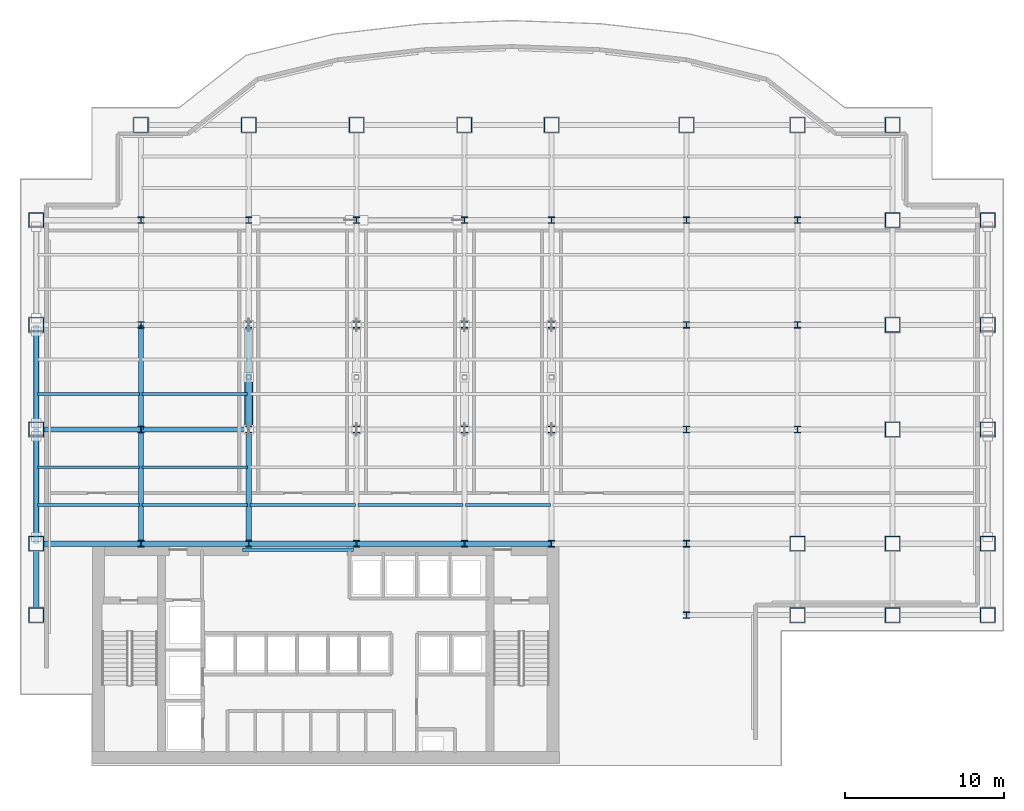
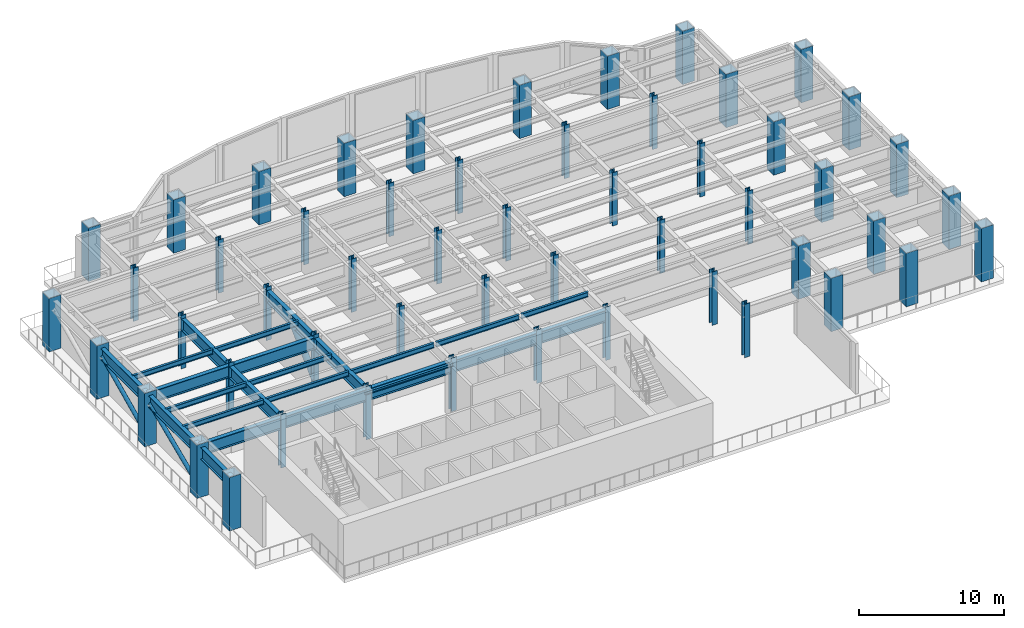
# One storey, part 1 of 14: 53 columns, 24 beams, 3 members.
"""IFC4 building model written with IfcOpenShell, lengths in metres."""

from ifc_helpers import new_model, si_unit, derived_unit, direction, frame, origin, origin_2d, place, context, subcontext, project, spatial, hollow_rectangle, hollow_circle, i_section, extrude, source, transform, mapped, material, material_profile, profile_set, type_object, element, save


model = new_model("IFC4")

# Units and contexts
model_context = context("Model", 3, precision=1e-05, world=origin(), true_north=direction((0.0, 1.0)))
body_context = subcontext(model_context, "Body", "Model", "MODEL_VIEW")
ifc_project = project(units=[si_unit("LENGTHUNIT", "METRE"), si_unit("AREAUNIT", "SQUARE_METRE"), si_unit("VOLUMEUNIT", "CUBIC_METRE"), si_unit("PLANEANGLEUNIT", "RADIAN"), si_unit("MASSUNIT", "GRAM", prefix="KILO"), derived_unit("THERMALTRANSMITTANCEUNIT", [(si_unit("POWERUNIT", "WATT"), 1), (si_unit("LENGTHUNIT", "METRE"), -2), (si_unit("THERMODYNAMICTEMPERATUREUNIT", "KELVIN"), -1)])], contexts=[model_context])

# Site, building, storey
site_placement = place(None, origin())
site = spatial("IfcSite", under=ifc_project, at=site_placement, CompositionType="ELEMENT")
building_placement = place(site_placement, origin())
building = spatial("IfcBuilding", under=site, at=building_placement, Name="Skarnbrae Concourse Arena and Tower", CompositionType="ELEMENT")
storey_placement = place(building_placement, frame((0.0, 0.0, 84.14990234375)))
storey = spatial("IfcBuildingStorey", under=building, at=storey_placement, Name="L20", CompositionType="ELEMENT", Elevation=84.14990234375)

# Columns
ifc_material = material(Name="Steel CSA G40.21 350W", Category="steel")
ifc_material_profile_1 = material_profile(ifc_material, hollow_rectangle(XDim=0.949951171875, YDim=0.949951171875, WallThickness=0.044921875, at=origin_2d()), Name="BOX950X950X45")
ifc_profile_set_1 = profile_set([ifc_material_profile_1], Name="Steel CSA G40.21 350W")
column_type_1 = type_object("IfcColumnType", Name="COL-TUBE-BOX950", PredefinedType="COLUMN", material=ifc_profile_set_1)
shared_shape_1 = source(origin(), body_context, "Body", "SweptSolid", [
    extrude(hollow_rectangle(XDim=0.949951171875, YDim=0.949951171875, WallThickness=0.044921875, at=origin_2d()), origin(), (0.0, 0.0, 1.0), 4.5),
])
for number, where, z_axis, x_axis, name in (
    (1, (1.0, 9.5, 0.0), (0.0, 0.0, 1.0), (1.0, 0.0, 0.0), "L20 Tower column PC_01_01"),
    (2, (1.0, 14.0, 0.0), (0.0, 0.0, 1.0), (1.0, 0.0, 0.0), "L20 Tower column PC_01_02"),
    (3, (1.0, 21.199951171875, 0.0), (0.0, 0.0, 1.0), (1.0, 0.0, 0.0), "L20 Tower column PC_01_03"),
    (4, (1.0, 27.800048828125, 0.0), (0.0, 0.0, 1.0), (1.0, 0.0, 0.0), "L20 Tower column PC_01_04"),
    (5, (1.0, 34.39990234375, 0.0), (0.0, 0.0, 1.0), (1.0, 0.0, 0.0), "L20 Tower column PC_01_05"),
    (6, (7.60009765625, 40.39990234375, 0.0), (0.0, 0.0, 1.0), (1.0, 0.0, 0.0), "L20 Tower column PC_02_06"),
    (7, (14.39990234375, 40.39990234375, 0.0), (0.0, 0.0, 1.0), (1.0, 0.0, 0.0), "L20 Tower column PC_03_06"),
    (8, (21.199951171875, 40.39990234375, 0.0), (0.0, 0.0, 1.0), (1.0, 0.0, 0.0), "L20 Tower column PC_04_06"),
    (9, (28.0, 40.39990234375, 0.0), (0.0, 0.0, 1.0), (1.0, 0.0, 0.0), "L20 Tower column PC_05_06"),
    (10, (33.5, 40.39990234375, 0.0), (0.0, 0.0, 1.0), (1.0, 0.0, 0.0), "L20 Tower column PC_06_06"),
    (11, (42.0, 40.39990234375, 0.0), (0.0, 0.0, 1.0), (1.0, 0.0, 0.0), "L20 Tower column PC_07_06"),
    (12, (49.0, 9.5, 0.0), (0.0, 0.0, 1.0), (1.0, 0.0, 0.0), "L20 Tower column PC_08_01"),
    (13, (49.0, 14.0, 0.0), (0.0, 0.0, 1.0), (1.0, 0.0, 0.0), "L20 Tower column PC_08_02"),
    (14, (49.0, 40.39990234375, 0.0), (0.0, 0.0, 1.0), (1.0, 0.0, 0.0), "L20 Tower column PC_08_06"),
    (15, (55.0, 9.5, 0.0), (0.0, 0.0, 1.0), (1.0, 0.0, 0.0), "L20 Tower column PC_09_01"),
    (16, (55.0, 14.0, 0.0), (0.0, 0.0, 1.0), (1.0, 0.0, 0.0), "L20 Tower column PC_09_02"),
    (17, (55.0, 21.199951171875, 0.0), (0.0, 0.0, 1.0), (1.0, 0.0, 0.0), "L20 Tower column PC_09_03"),
    (18, (55.0, 27.800048828125, 0.0), (0.0, 0.0, 1.0), (1.0, 0.0, 0.0), "L20 Tower column PC_09_04"),
    (19, (55.0, 34.39990234375, 0.0), (0.0, 0.0, 1.0), (1.0, 0.0, 0.0), "L20 Tower column PC_09_05"),
    (20, (55.0, 40.39990234375, 0.0), (0.0, 0.0, 1.0), (1.0, 0.0, 0.0), "L20 Tower column PC_09_06"),
    (21, (61.0, 9.5, 0.0), (0.0, 0.0, 1.0), (1.0, 0.0, 0.0), "L20 Tower column PC_10_01"),
    (22, (61.0, 14.0, 0.0), (0.0, 0.0, 1.0), (1.0, 0.0, 0.0), "L20 Tower column PC_10_02"),
    (23, (61.0, 21.199951171875, 0.0), (0.0, 0.0, 1.0), (1.0, 0.0, 0.0), "L20 Tower column PC_10_03"),
    (24, (61.0, 27.800048828125, 0.0), (0.0, 0.0, 1.0), (1.0, 0.0, 0.0), "L20 Tower column PC_10_04"),
    (25, (61.0, 34.39990234375, 0.0), (0.0, 0.0, 1.0), (1.0, 0.0, 0.0), "L20 Tower column PC_10_05"),
):
    element("IfcColumn", number, at=place(storey_placement, frame(where, z_axis=z_axis, x_axis=x_axis)), inside=storey, type_object=column_type_1, Name=name, PredefinedType="COLUMN", context=body_context, shape_type="MappedRepresentation", body=[
        mapped(shared_shape_1, transform((0.0, 0.0, 0.0))),
    ])
ifc_material_profile_2 = material_profile(ifc_material, i_section(OverallWidth=0.406005859375, OverallDepth=0.416015625, WebThickness=0.02978515625, FlangeThickness=0.048095703125, at=origin_2d()), Name="W360X382")
ifc_profile_set_2 = profile_set([ifc_material_profile_2], Name="Steel CSA G40.21 350W")
column_type_2 = type_object("IfcColumnType", Name="COL-INT-W360X382", PredefinedType="COLUMN", material=ifc_profile_set_2)
shared_shape_2 = source(origin(), body_context, "Body", "SweptSolid", [
    extrude(i_section(OverallWidth=0.406005859375, OverallDepth=0.416015625, WebThickness=0.02978515625, FlangeThickness=0.048095703125, at=origin_2d()), origin(), (0.0, 0.0, 1.0), 4.5),
])
for number, where, z_axis, x_axis, name in (
    (26, (7.60009765625, 14.0, 0.0), (0.0, 0.0, 1.0), (1.0, 0.0, 0.0), "L20 Tower column IC_02_02"),
    (27, (7.60009765625, 21.199951171875, 0.0), (0.0, 0.0, 1.0), (1.0, 0.0, 0.0), "L20 Tower column IC_02_03"),
    (28, (7.60009765625, 27.800048828125, 0.0), (0.0, 0.0, 1.0), (1.0, 0.0, 0.0), "L20 Tower column IC_02_04"),
    (29, (7.60009765625, 34.39990234375, 0.0), (0.0, 0.0, 1.0), (1.0, 0.0, 0.0), "L20 Tower column IC_02_05"),
    (30, (14.39990234375, 14.0, 0.0), (0.0, 0.0, 1.0), (1.0, 0.0, 0.0), "L20 Tower column IC_03_02"),
    (31, (14.39990234375, 21.199951171875, 0.0), (0.0, 0.0, 1.0), (1.0, 0.0, 0.0), "L20 Tower column IC_03_03"),
    (32, (14.39990234375, 27.800048828125, 0.0), (0.0, 0.0, 1.0), (1.0, 0.0, 0.0), "L20 Tower column IC_03_04"),
    (33, (14.39990234375, 34.39990234375, 0.0), (0.0, 0.0, 1.0), (1.0, 0.0, 0.0), "L20 Tower column IC_03_05"),
    (34, (21.199951171875, 14.0, 0.0), (0.0, 0.0, 1.0), (1.0, 0.0, 0.0), "L20 Tower column IC_04_02"),
    (35, (21.199951171875, 21.199951171875, 0.0), (0.0, 0.0, 1.0), (1.0, 0.0, 0.0), "L20 Tower column IC_04_03"),
    (36, (21.199951171875, 27.800048828125, 0.0), (0.0, 0.0, 1.0), (1.0, 0.0, 0.0), "L20 Tower column IC_04_04"),
    (37, (21.199951171875, 34.39990234375, 0.0), (0.0, 0.0, 1.0), (1.0, 0.0, 0.0), "L20 Tower column IC_04_05"),
    (38, (28.0, 14.0, 0.0), (0.0, 0.0, 1.0), (1.0, 0.0, 0.0), "L20 Tower column IC_05_02"),
    (39, (28.0, 21.199951171875, 0.0), (0.0, 0.0, 1.0), (1.0, 0.0, 0.0), "L20 Tower column IC_05_03"),
    (40, (28.0, 27.800048828125, 0.0), (0.0, 0.0, 1.0), (1.0, 0.0, 0.0), "L20 Tower column IC_05_04"),
    (41, (28.0, 34.39990234375, 0.0), (0.0, 0.0, 1.0), (1.0, 0.0, 0.0), "L20 Tower column IC_05_05"),
    (42, (33.5, 14.0, 0.0), (0.0, 0.0, 1.0), (1.0, 0.0, 0.0), "L20 Tower column IC_06_02"),
    (43, (33.5, 21.199951171875, 0.0), (0.0, 0.0, 1.0), (1.0, 0.0, 0.0), "L20 Tower column IC_06_03"),
    (44, (33.5, 27.800048828125, 0.0), (0.0, 0.0, 1.0), (1.0, 0.0, 0.0), "L20 Tower column IC_06_04"),
    (45, (33.5, 34.39990234375, 0.0), (0.0, 0.0, 1.0), (1.0, 0.0, 0.0), "L20 Tower column IC_06_05"),
    (46, (42.0, 9.5, 0.0), (0.0, 0.0, 1.0), (1.0, 0.0, 0.0), "L20 Tower column IC_07_01"),
    (47, (42.0, 14.0, 0.0), (0.0, 0.0, 1.0), (1.0, 0.0, 0.0), "L20 Tower column IC_07_02"),
    (48, (42.0, 21.199951171875, 0.0), (0.0, 0.0, 1.0), (1.0, 0.0, 0.0), "L20 Tower column IC_07_03"),
    (49, (42.0, 27.800048828125, 0.0), (0.0, 0.0, 1.0), (1.0, 0.0, 0.0), "L20 Tower column IC_07_04"),
    (50, (42.0, 34.39990234375, 0.0), (0.0, 0.0, 1.0), (1.0, 0.0, 0.0), "L20 Tower column IC_07_05"),
    (51, (49.0, 21.199951171875, 0.0), (0.0, 0.0, 1.0), (1.0, 0.0, 0.0), "L20 Tower column IC_08_03"),
    (52, (49.0, 27.800048828125, 0.0), (0.0, 0.0, 1.0), (1.0, 0.0, 0.0), "L20 Tower column IC_08_04"),
    (53, (49.0, 34.39990234375, 0.0), (0.0, 0.0, 1.0), (1.0, 0.0, 0.0), "L20 Tower column IC_08_05"),
):
    element("IfcColumn", number, at=place(storey_placement, frame(where, z_axis=z_axis, x_axis=x_axis)), inside=storey, type_object=column_type_2, Name=name, PredefinedType="COLUMN", context=body_context, shape_type="MappedRepresentation", body=[
        mapped(shared_shape_2, transform((0.0, 0.0, 0.0))),
    ])

# Beams
ifc_material_profile_3 = material_profile(ifc_material, i_section(OverallWidth=0.202880859375, OverallDepth=0.251953125, WebThickness=0.008056640625, FlangeThickness=0.013427734375, at=origin_2d()), Name="W250X58")
ifc_profile_set_3 = profile_set([ifc_material_profile_3], Name="Steel CSA G40.21 350W")
beam_type_1 = type_object("IfcBeamType", Name="BM-LINTEL-W250X58", PredefinedType="LINTEL", material=ifc_profile_set_3)
shared_shape_3 = source(origin(), body_context, "Body", "SweptSolid", [
    extrude(i_section(OverallWidth=0.202880859375, OverallDepth=0.251953125, WebThickness=0.008056640625, FlangeThickness=0.013427734375, at=origin_2d()), origin(), (0.0, 0.0, 1.0), 7.0),
])
beam_1_placement = place(storey_placement, frame((14.0, 13.625, 4.1240234375), z_axis=(1.0, 0.0, 0.0), x_axis=(0.0, 1.0, 0.0)))
element("IfcBeam", 54, at=beam_1_placement, inside=storey, type_object=beam_type_1, Name="L20 Core portal coupling lintel", PredefinedType="LINTEL", context=body_context, shape_type="MappedRepresentation", body=[
    mapped(shared_shape_3, transform((0.0, 0.0, 0.0))),
])
ifc_material_profile_4 = material_profile(ifc_material, i_section(OverallWidth=0.180908203125, OverallDepth=0.4169921875, WebThickness=0.010986328125, FlangeThickness=0.018310546875, at=origin_2d()), Name="W410X85")
ifc_profile_set_4 = profile_set([ifc_material_profile_4], Name="Steel CSA G40.21 350W")
beam_type_2 = type_object("IfcBeamType", Name="BM-JOIST-W410X85", PredefinedType="JOIST", material=ifc_profile_set_4)
shared_shape_4 = source(origin(), body_context, "Body", "SweptSolid", [
    extrude(i_section(OverallWidth=0.180908203125, OverallDepth=0.4169921875, WebThickness=0.010986328125, FlangeThickness=0.018310546875, at=origin_2d()), origin(), (0.0, 0.0, 1.0), 6.43994140625),
])
for number, where, z_axis, x_axis, name in (
    (55, (1.080078125, 16.447998046875, 3.99169921875), (1.0, 0.0, 0.0), (0.0, 1.0, 0.0), "L20 Secondary floor joist 1.1.1"),
    (56, (1.080078125, 18.823974609375, 3.99169921875), (1.0, 0.0, 0.0), (0.0, 1.0, 0.0), "L20 Secondary floor joist 1.2.1"),
    (57, (1.080078125, 23.444091796875, 3.99169921875), (1.0, 0.0, 0.0), (0.0, 1.0, 0.0), "L20 Secondary floor joist 2.1.1"),
):
    element("IfcBeam", number, at=place(storey_placement, frame(where, z_axis=z_axis, x_axis=x_axis)), inside=storey, type_object=beam_type_2, Name=name, PredefinedType="JOIST", context=body_context, shape_type="MappedRepresentation", body=[
        mapped(shared_shape_4, transform((0.0, 0.0, 0.0))),
    ])
shared_shape_5 = source(origin(), body_context, "Body", "SweptSolid", [
    extrude(i_section(OverallWidth=0.180908203125, OverallDepth=0.4169921875, WebThickness=0.010986328125, FlangeThickness=0.018310546875, at=origin_2d()), origin(), (0.0, 0.0, 1.0), 6.64013671875),
])
for number, where, z_axis, x_axis, name in (
    (58, (7.679931640625, 16.447998046875, 3.99169921875), (1.0, 0.0, 0.0), (0.0, 1.0, 0.0), "L20 Secondary floor joist 1.1.2"),
    (59, (14.47998046875, 16.447998046875, 3.99169921875), (1.0, 0.0, 0.0), (0.0, 1.0, 0.0), "L20 Secondary floor joist 1.1.3"),
    (60, (7.679931640625, 18.823974609375, 3.99169921875), (1.0, 0.0, 0.0), (0.0, 1.0, 0.0), "L20 Secondary floor joist 1.2.2"),
    (61, (7.679931640625, 23.444091796875, 3.99169921875), (1.0, 0.0, 0.0), (0.0, 1.0, 0.0), "L20 Secondary floor joist 2.1.2"),
):
    element("IfcBeam", number, at=place(storey_placement, frame(where, z_axis=z_axis, x_axis=x_axis)), inside=storey, type_object=beam_type_2, Name=name, PredefinedType="JOIST", context=body_context, shape_type="MappedRepresentation", body=[
        mapped(shared_shape_5, transform((0.0, 0.0, 0.0))),
    ])
shared_shape_6 = source(origin(), body_context, "Body", "SweptSolid", [
    extrude(i_section(OverallWidth=0.180908203125, OverallDepth=0.4169921875, WebThickness=0.010986328125, FlangeThickness=0.018310546875, at=origin_2d()), origin(), (0.0, 0.0, 1.0), 6.639892578125),
])
beam_2_placement = place(storey_placement, frame((21.280029296875, 16.447998046875, 3.99169921875), z_axis=(1.0, 0.0, 0.0), x_axis=(0.0, 1.0, 0.0)))
element("IfcBeam", 62, at=beam_2_placement, inside=storey, type_object=beam_type_2, Name="L20 Secondary floor joist 1.1.4", PredefinedType="JOIST", context=body_context, shape_type="MappedRepresentation", body=[
    mapped(shared_shape_6, transform((0.0, 0.0, 0.0))),
])
shared_shape_7 = source(origin(), body_context, "Body", "SweptSolid", [
    extrude(i_section(OverallWidth=0.180908203125, OverallDepth=0.4169921875, WebThickness=0.010986328125, FlangeThickness=0.018310546875, at=origin_2d()), origin(), (0.0, 0.0, 1.0), 5.33984375),
])
beam_3_placement = place(storey_placement, frame((28.080078125, 16.447998046875, 3.99169921875), z_axis=(1.0, 0.0, 0.0), x_axis=(0.0, 1.0, 0.0)))
element("IfcBeam", 63, at=beam_3_placement, inside=storey, type_object=beam_type_2, Name="L20 Secondary floor joist 1.1.5", PredefinedType="JOIST", context=body_context, shape_type="MappedRepresentation", body=[
    mapped(shared_shape_7, transform((0.0, 0.0, 0.0))),
])
ifc_material_profile_5 = material_profile(ifc_material, i_section(OverallWidth=0.327880859375, OverallDepth=1.0, WebThickness=0.02099609375, FlangeThickness=0.03759765625, at=origin_2d()), Name="W1000X371")
ifc_profile_set_5 = profile_set([ifc_material_profile_5], Name="Steel CSA G40.21 350W")
beam_type_3 = type_object("IfcBeamType", Name="BM-XFER-W1000X371", PredefinedType="BEAM", material=ifc_profile_set_5)
shared_shape_8 = source(origin(), body_context, "Body", "SweptSolid", [
    extrude(i_section(OverallWidth=0.327880859375, OverallDepth=1.0, WebThickness=0.02099609375, FlangeThickness=0.03759765625, at=origin_2d()), origin(), (0.0, 0.0, 1.0), 6.60009765625),
])
for number, where, z_axis, x_axis, name in (
    (64, (1.0, 14.0, 3.7001953125), (1.0, 0.0, 0.0), (0.0, 1.0, 0.0), "L20 Primary E-W girder Y14.0-1"),
    (65, (1.0, 21.199951171875, 3.7001953125), (1.0, 0.0, 0.0), (0.0, 1.0, 0.0), "L20 Primary E-W girder Y21.2-1"),
    (66, (1.0, 21.199951171875, 3.7001953125), (0.0, 1.0, 0.0), (-1.0, 0.0, 0.0), "L20 Perimeter spandrel X1.0-3"),
    (67, (7.60009765625, 21.199951171875, 3.7001953125), (0.0, 1.0, 0.0), (-1.0, 0.0, 0.0), "L20 Primary N-S girder X7.6-2"),
    (68, (14.39990234375, 21.199951171875, 3.7001953125), (0.0, 1.0, 0.0), (-1.0, 0.0, 0.0), "L20 Primary N-S girder X14.4-2"),
):
    element("IfcBeam", number, at=place(storey_placement, frame(where, z_axis=z_axis, x_axis=x_axis)), inside=storey, type_object=beam_type_3, Name=name, PredefinedType="BEAM", context=body_context, shape_type="MappedRepresentation", body=[
        mapped(shared_shape_8, transform((0.0, 0.0, 0.0))),
    ])
shared_shape_9 = source(origin(), body_context, "Body", "SweptSolid", [
    extrude(i_section(OverallWidth=0.327880859375, OverallDepth=1.0, WebThickness=0.02099609375, FlangeThickness=0.03759765625, at=origin_2d()), origin(), (0.0, 0.0, 1.0), 6.7998046875),
])
for number, where, z_axis, x_axis, name in (
    (69, (7.60009765625, 14.0, 3.7001953125), (1.0, 0.0, 0.0), (0.0, 1.0, 0.0), "L20 Primary E-W girder Y14.0-2"),
    (70, (7.60009765625, 21.199951171875, 3.7001953125), (1.0, 0.0, 0.0), (0.0, 1.0, 0.0), "L20 Primary E-W girder Y21.2-2"),
):
    element("IfcBeam", number, at=place(storey_placement, frame(where, z_axis=z_axis, x_axis=x_axis)), inside=storey, type_object=beam_type_3, Name=name, PredefinedType="BEAM", context=body_context, shape_type="MappedRepresentation", body=[
        mapped(shared_shape_9, transform((0.0, 0.0, 0.0))),
    ])
shared_shape_10 = source(origin(), body_context, "Body", "SweptSolid", [
    extrude(i_section(OverallWidth=0.327880859375, OverallDepth=1.0, WebThickness=0.02099609375, FlangeThickness=0.03759765625, at=origin_2d()), origin(), (0.0, 0.0, 1.0), 6.800048828125),
])
for number, where, z_axis, x_axis, name in (
    (71, (14.39990234375, 14.0, 3.7001953125), (1.0, 0.0, 0.0), (0.0, 1.0, 0.0), "L20 Primary E-W girder Y14.0-3"),
    (72, (21.199951171875, 14.0, 3.7001953125), (1.0, 0.0, 0.0), (0.0, 1.0, 0.0), "L20 Primary E-W girder Y14.0-4"),
):
    element("IfcBeam", number, at=place(storey_placement, frame(where, z_axis=z_axis, x_axis=x_axis)), inside=storey, type_object=beam_type_3, Name=name, PredefinedType="BEAM", context=body_context, shape_type="MappedRepresentation", body=[
        mapped(shared_shape_10, transform((0.0, 0.0, 0.0))),
    ])
shared_shape_11 = source(origin(), body_context, "Body", "SweptSolid", [
    extrude(i_section(OverallWidth=0.327880859375, OverallDepth=1.0, WebThickness=0.02099609375, FlangeThickness=0.03759765625, at=origin_2d()), origin(), (0.0, 0.0, 1.0), 5.5),
])
beam_4_placement = place(storey_placement, frame((28.0, 14.0, 3.7001953125), z_axis=(1.0, 0.0, 0.0), x_axis=(0.0, 1.0, 0.0)))
element("IfcBeam", 73, at=beam_4_placement, inside=storey, type_object=beam_type_3, Name="L20 Primary E-W girder Y14.0-5", PredefinedType="BEAM", context=body_context, shape_type="MappedRepresentation", body=[
    mapped(shared_shape_11, transform((0.0, 0.0, 0.0))),
])
shared_shape_12 = source(origin(), body_context, "Body", "SweptSolid", [
    extrude(i_section(OverallWidth=0.327880859375, OverallDepth=1.0, WebThickness=0.02099609375, FlangeThickness=0.03759765625, at=origin_2d()), origin(), (0.0, 0.0, 1.0), 4.5),
])
beam_5_placement = place(storey_placement, frame((1.0, 9.5, 3.7001953125), z_axis=(0.0, 1.0, 0.0), x_axis=(-1.0, 0.0, 0.0)))
element("IfcBeam", 74, at=beam_5_placement, inside=storey, type_object=beam_type_3, Name="L20 Perimeter spandrel X1.0-1", PredefinedType="BEAM", context=body_context, shape_type="MappedRepresentation", body=[
    mapped(shared_shape_12, transform((0.0, 0.0, 0.0))),
])
shared_shape_13 = source(origin(), body_context, "Body", "SweptSolid", [
    extrude(i_section(OverallWidth=0.327880859375, OverallDepth=1.0, WebThickness=0.02099609375, FlangeThickness=0.03759765625, at=origin_2d()), origin(), (0.0, 0.0, 1.0), 7.199951171875),
])
for number, where, z_axis, x_axis, name in (
    (75, (1.0, 14.0, 3.7001953125), (0.0, 1.0, 0.0), (-1.0, 0.0, 0.0), "L20 Perimeter spandrel X1.0-2"),
    (76, (7.60009765625, 14.0, 3.7001953125), (0.0, 1.0, 0.0), (-1.0, 0.0, 0.0), "L20 Primary N-S girder X7.6-1"),
    (77, (14.39990234375, 14.0, 3.7001953125), (0.0, 1.0, 0.0), (-1.0, 0.0, 0.0), "L20 Primary N-S girder X14.4-1"),
):
    element("IfcBeam", number, at=place(storey_placement, frame(where, z_axis=z_axis, x_axis=x_axis)), inside=storey, type_object=beam_type_3, Name=name, PredefinedType="BEAM", context=body_context, shape_type="MappedRepresentation", body=[
        mapped(shared_shape_13, transform((0.0, 0.0, 0.0))),
    ])

# Members
ifc_material_profile_6 = material_profile(ifc_material, hollow_circle(Radius=0.25390625, WallThickness=0.02490234375, at=origin_2d()), Name="HSS508X25.0")
ifc_profile_set_6 = profile_set([ifc_material_profile_6], Name="Steel CSA G40.21 350W")
member_type_1 = type_object("IfcMemberType", Name="MEM-OUTRIG-CHS508", PredefinedType="BRACE", material=ifc_profile_set_6)
shared_shape_14 = source(origin(), body_context, "Body", "SweptSolid", [
    extrude(hollow_circle(Radius=0.25390625, WallThickness=0.02490234375, at=origin_2d()), origin(), (0.0, 0.0, 1.0), 4.52783203125),
])
member_1_placement = place(storey_placement, frame((14.39990234375, 21.199951171875, 0.550048828125), z_axis=(0.0, 0.728842364395, 0.684681537551), x_axis=(-1.0, 0.0, 0.0)))
element("IfcMember", 78, at=member_1_placement, inside=storey, type_object=member_type_1, Name="L20 Core outrigger trusses diagonal O1.1", PredefinedType="BRACE", context=body_context, shape_type="MappedRepresentation", body=[
    mapped(shared_shape_14, transform((0.0, 0.0, 0.0))),
])
ifc_material_profile_7 = material_profile(ifc_material, hollow_circle(Radius=0.161865234375, WallThickness=0.01904296875, at=origin_2d()), Name="HSS324X19.0")
ifc_profile_set_7 = profile_set([ifc_material_profile_7], Name="Steel CSA G40.21 350W")
member_type_2 = type_object("IfcMemberType", Name="MEM-BELT-CHS324", PredefinedType="BRACE", material=ifc_profile_set_7)
shared_shape_15 = source(origin(), body_context, "Body", "SweptSolid", [
    extrude(hollow_circle(Radius=0.161865234375, WallThickness=0.01904296875, at=origin_2d()), origin(), (0.0, 0.0, 1.0), 6.9189453125),
])
member_2_placement = place(storey_placement, frame((1.0, 14.422607421875, 0.73193359375), z_axis=(0.0, 0.918475721725, 0.395477368002), x_axis=(-1.0, 0.0, 0.0)))
element("IfcMember", 79, at=member_2_placement, inside=storey, type_object=member_type_2, Name="L20 Perimeter belt trusses diagonal B01", PredefinedType="BRACE", context=body_context, shape_type="MappedRepresentation", body=[
    mapped(shared_shape_15, transform((0.0, 0.0, 0.0))),
])
shared_shape_16 = source(origin(), body_context, "Body", "SweptSolid", [
    extrude(hollow_circle(Radius=0.161865234375, WallThickness=0.01904296875, at=origin_2d()), origin(), (0.0, 0.0, 1.0), 6.37158203125),
])
member_3_placement = place(storey_placement, frame((1.0, 21.616455078125, 0.74560546875), z_axis=(0.0, 0.905117197869, 0.425162155091), x_axis=(-1.0, 0.0, 0.0)))
element("IfcMember", 80, at=member_3_placement, inside=storey, type_object=member_type_2, Name="L20 Perimeter belt trusses diagonal B02", PredefinedType="BRACE", context=body_context, shape_type="MappedRepresentation", body=[
    mapped(shared_shape_16, transform((0.0, 0.0, 0.0))),
])

save(model, "model.ifc")
